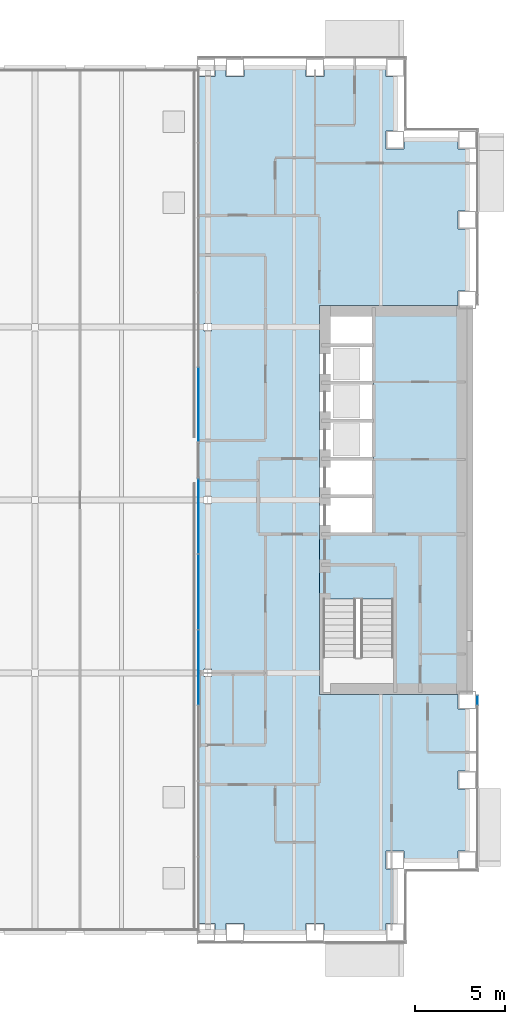
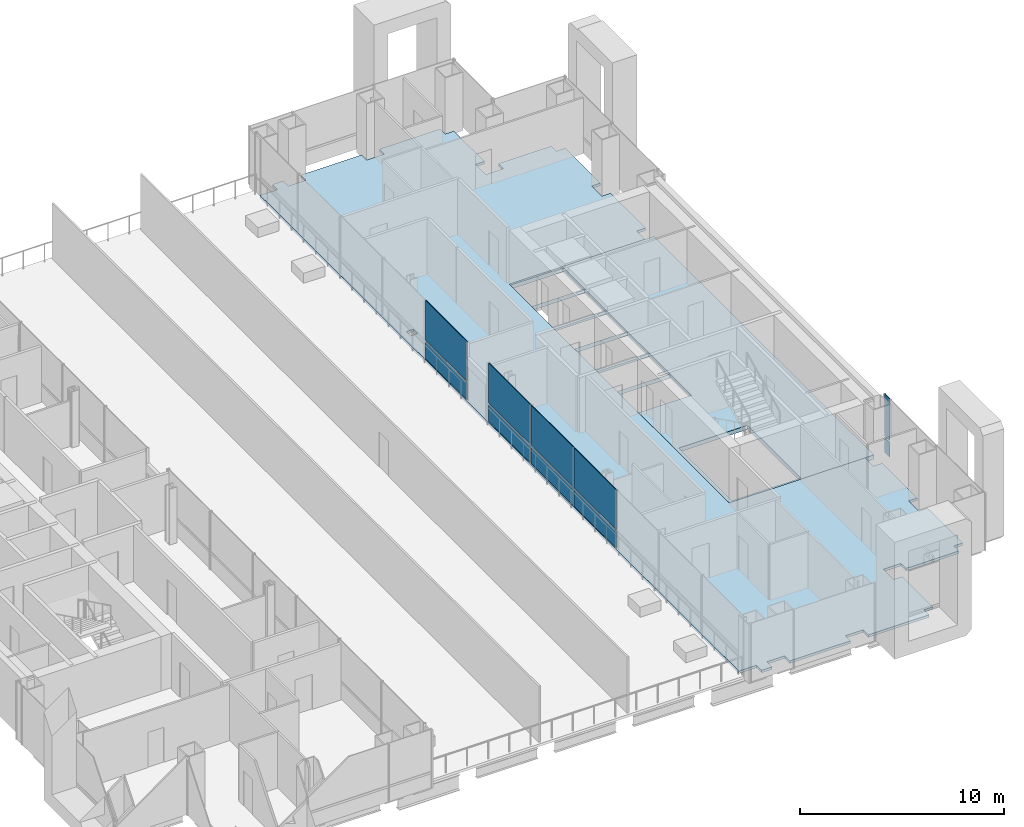
# One storey, part 14 of 24: 10 plates, 2 slabs, 3 elements without a shape of their own.
"""IFC4 building model written with IfcOpenShell, lengths in metres."""

from ifc_helpers import new_model, si_unit, direction, frame, origin, origin_2d, place, context, subcontext, project, spatial, polyline, rectangle, outline, extrude, material, layer, layer_set, type_object, element, aggregate, save


model = new_model("IFC4")

# Units and contexts
model_context = context("Model", 3, precision=1e-05, world=origin(), true_north=direction((0.0, 1.0)))
body_context = subcontext(model_context, "Body", "Model", "MODEL_VIEW")
ifc_project = project(units=[si_unit("LENGTHUNIT", "METRE"), si_unit("AREAUNIT", "SQUARE_METRE"), si_unit("VOLUMEUNIT", "CUBIC_METRE"), si_unit("PLANEANGLEUNIT", "RADIAN"), si_unit("MASSUNIT", "GRAM", prefix="KILO")], contexts=[model_context])

# Site, building, storey
site_placement = place(None, origin())
site = spatial("IfcSite", under=ifc_project, at=site_placement, CompositionType="ELEMENT")
building_placement = place(site_placement, origin())
building = spatial("IfcBuilding", under=site, at=building_placement, Name="Cobrizo Arcos Hotel Tower", CompositionType="ELEMENT")
storey_placement = place(building_placement, frame((0.0, 0.0, 60.0)))
storey = spatial("IfcBuildingStorey", under=building, at=storey_placement, Name="L13", CompositionType="ELEMENT", Elevation=60.0)

# Curtain wall, plates
ifc_material_1 = material(Name="Aluminium 6063-T6 anodised bronze", Category="aluminium")
curtain_wall_type_1 = type_object("IfcCurtainWallType", Name="CW-A guest facade", PredefinedType="NOTDEFINED", material=ifc_material_1)
curtain_wall_1_placement = place(storey_placement, origin())
curtain_wall_1 = element("IfcCurtainWall", 1, at=curtain_wall_1_placement, inside=storey, type_object=curtain_wall_type_1, Name="CW-A L13 E face", PredefinedType="NOTDEFINED")
ifc_material_2 = material(Name="Glass clear laminated low-e", Category="glass")
ifc_layer_1 = layer(ifc_material_2, 0.0400390625)
ifc_layer_set_1 = layer_set([ifc_layer_1], Name="CW-A glass panel")
plate_type_1 = type_object("IfcPlateType", Name="CW-A glass panel", PredefinedType="CURTAIN_PANEL", material=ifc_layer_set_1)
plate_1_placement = place(storey_placement, frame((24.574951171875, -11.109375, 0.990234375), z_axis=(0.0, 0.0, 1.0), x_axis=(0.0, 1.0, 0.0)))
plate_1 = element("IfcPlate", 2, at=plate_1_placement, type_object=plate_type_1, Name="CW-A glass panel 599", PredefinedType="CURTAIN_PANEL", context=body_context, shape_type="SweptSolid", body=[
    extrude(rectangle(XDim=0.498779296875, YDim=0.0400390625, at=origin_2d()), origin(), (0.0, 0.0, 1.0), 2.510009765625),
])
ifc_material_3 = material(Name="Aluminium composite panel pale metal", Category="aluminium")
ifc_layer_2 = layer(ifc_material_3, 0.0400390625)
ifc_layer_set_2 = layer_set([ifc_layer_2], Name="CW-A spandrel panel")
plate_type_2 = type_object("IfcPlateType", Name="CW-A spandrel panel", PredefinedType="CURTAIN_PANEL", material=ifc_layer_set_2)
plate_2_placement = place(storey_placement, frame((24.574951171875, -11.109375, 0.0), z_axis=(0.0, 0.0, 1.0), x_axis=(0.0, 1.0, 0.0)))
plate_2 = element("IfcPlate", 3, at=plate_2_placement, type_object=plate_type_2, Name="CW-A spandrel panel 599", PredefinedType="CURTAIN_PANEL", context=body_context, shape_type="SweptSolid", body=[
    extrude(rectangle(XDim=0.498779296875, YDim=0.0400390625, at=origin_2d()), origin(), (0.0, 0.0, 1.0), 0.8701171875),
])
aggregate(curtain_wall_1, [plate_2, plate_1])

curtain_wall_type_2 = type_object("IfcCurtainWallType", Name="CW-F void screen", PredefinedType="NOTDEFINED", material=ifc_material_1)
curtain_wall_2_placement = place(storey_placement, origin())
curtain_wall_2 = element("IfcCurtainWall", 4, at=curtain_wall_2_placement, inside=storey, type_object=curtain_wall_type_2, Name="CW-F L13 void screen A", PredefinedType="NOTDEFINED")
ifc_layer_3 = layer(ifc_material_2, 0.0400390625)
ifc_layer_set_3 = layer_set([ifc_layer_3], Name="CW-F glass panel")
plate_type_3 = type_object("IfcPlateType", Name="CW-F glass panel", PredefinedType="CURTAIN_PANEL", material=ifc_layer_set_3)
plate_3_placement = place(storey_placement, frame((9.074951171875, -9.300048828125, 0.0), z_axis=(0.0, 0.0, 1.0), x_axis=(0.0, 1.0, 0.0)))
plate_3 = element("IfcPlate", 5, at=plate_3_placement, type_object=plate_type_3, Name="CW-F glass panel 2429", PredefinedType="CURTAIN_PANEL", context=body_context, shape_type="SweptSolid", body=[
    extrude(rectangle(XDim=4.139892578125, YDim=0.0400390625, at=origin_2d()), origin(), (0.0, 0.0, 1.0), 0.989990234375),
])
plate_4_placement = place(storey_placement, frame((9.074951171875, -9.300048828125, 1.10986328125), z_axis=(0.0, 0.0, 1.0), x_axis=(0.0, 1.0, 0.0)))
plate_4 = element("IfcPlate", 6, at=plate_4_placement, type_object=plate_type_3, Name="CW-F glass panel 2429", PredefinedType="CURTAIN_PANEL", context=body_context, shape_type="SweptSolid", body=[
    extrude(rectangle(XDim=4.139892578125, YDim=0.0400390625, at=origin_2d()), origin(), (0.0, 0.0, 1.0), 2.389892578125),
])
plate_5_placement = place(storey_placement, frame((9.074951171875, -5.10009765625, 0.0), z_axis=(0.0, 0.0, 1.0), x_axis=(0.0, 1.0, 0.0)))
plate_5 = element("IfcPlate", 7, at=plate_5_placement, type_object=plate_type_3, Name="CW-F glass panel 2430", PredefinedType="CURTAIN_PANEL", context=body_context, shape_type="SweptSolid", body=[
    extrude(rectangle(XDim=4.139892578125, YDim=0.0400390625, at=origin_2d()), origin(), (0.0, 0.0, 1.0), 0.989990234375),
])
plate_6_placement = place(storey_placement, frame((9.074951171875, -5.10009765625, 1.10986328125), z_axis=(0.0, 0.0, 1.0), x_axis=(0.0, 1.0, 0.0)))
plate_6 = element("IfcPlate", 8, at=plate_6_placement, type_object=plate_type_3, Name="CW-F glass panel 2430", PredefinedType="CURTAIN_PANEL", context=body_context, shape_type="SweptSolid", body=[
    extrude(rectangle(XDim=4.139892578125, YDim=0.0400390625, at=origin_2d()), origin(), (0.0, 0.0, 1.0), 2.389892578125),
])
plate_7_placement = place(storey_placement, frame((9.074951171875, -0.9150390625, 0.0), z_axis=(0.0, 0.0, 1.0), x_axis=(0.0, 1.0, 0.0)))
plate_7 = element("IfcPlate", 9, at=plate_7_placement, type_object=plate_type_3, Name="CW-F glass panel 2431", PredefinedType="CURTAIN_PANEL", context=body_context, shape_type="SweptSolid", body=[
    extrude(rectangle(XDim=4.110107421875, YDim=0.0400390625, at=origin_2d()), origin(), (0.0, 0.0, 1.0), 0.989990234375),
])
plate_8_placement = place(storey_placement, frame((9.074951171875, -0.9150390625, 1.10986328125), z_axis=(0.0, 0.0, 1.0), x_axis=(0.0, 1.0, 0.0)))
plate_8 = element("IfcPlate", 10, at=plate_8_placement, type_object=plate_type_3, Name="CW-F glass panel 2431", PredefinedType="CURTAIN_PANEL", context=body_context, shape_type="SweptSolid", body=[
    extrude(rectangle(XDim=4.110107421875, YDim=0.0400390625, at=origin_2d()), origin(), (0.0, 0.0, 1.0), 2.389892578125),
])
aggregate(curtain_wall_2, [plate_3, plate_4, plate_5, plate_6, plate_7, plate_8])

curtain_wall_3_placement = place(storey_placement, origin())
curtain_wall_3 = element("IfcCurtainWall", 11, at=curtain_wall_3_placement, inside=storey, type_object=curtain_wall_type_2, Name="CW-F L13 void screen A", PredefinedType="NOTDEFINED")
plate_9_placement = place(storey_placement, frame((9.074951171875, 5.294921875, 0.0), z_axis=(0.0, 0.0, 1.0), x_axis=(0.0, 1.0, 0.0)))
plate_9 = element("IfcPlate", 12, at=plate_9_placement, type_object=plate_type_3, Name="CW-F glass panel 2432", PredefinedType="CURTAIN_PANEL", context=body_context, shape_type="SweptSolid", body=[
    extrude(rectangle(XDim=4.070068359375, YDim=0.0400390625, at=origin_2d()), origin(), (0.0, 0.0, 1.0), 0.989990234375),
])
plate_10_placement = place(storey_placement, frame((9.074951171875, 5.294921875, 1.10986328125), z_axis=(0.0, 0.0, 1.0), x_axis=(0.0, 1.0, 0.0)))
plate_10 = element("IfcPlate", 13, at=plate_10_placement, type_object=plate_type_3, Name="CW-F glass panel 2432", PredefinedType="CURTAIN_PANEL", context=body_context, shape_type="SweptSolid", body=[
    extrude(rectangle(XDim=4.070068359375, YDim=0.0400390625, at=origin_2d()), origin(), (0.0, 0.0, 1.0), 2.389892578125),
])
aggregate(curtain_wall_3, [plate_9, plate_10])

# Slabs
ifc_material_4 = material(Name="Concrete f'c 35 MPa", Category="concrete")
ifc_layer_4 = layer(ifc_material_4, 0.14990234375)
ifc_layer_set_4 = layer_set([ifc_layer_4], Name="Composite floor slab 150 f'c 35")
slab_type_1 = type_object("IfcSlabType", Name="Composite floor slab 150 f'c 35", PredefinedType="FLOOR", material=ifc_layer_set_4)
slab_1_placement = place(storey_placement, frame((0.0, 0.0, -0.14990234375)))
element("IfcSlab", 14, at=slab_1_placement, inside=storey, type_object=slab_type_1, Name="Floor slab S5, L13, no. 02", PredefinedType="FLOOR", context=body_context, shape_type="SweptSolid", body=[
    extrude(outline(polyline([(10.0, 23.5), (10.0, 24.0), (10.611083984375, 24.0), (10.611083984375, 23.5), (11.611083984375, 23.5), (11.611083984375, 24.0), (15.055908203125, 24.0), (15.055908203125, 23.5), (16.055908203125, 23.5), (16.055908203125, 24.0), (19.5, 24.0), (19.5, 23.5), (20.0, 23.5), (20.0, 20.5), (19.5, 20.5), (19.5, 19.5), (20.5, 19.5), (20.5, 20.0), (23.5, 20.0), (23.5, 19.5), (24.0, 19.5), (24.0, 16.055908203125), (23.5, 16.055908203125), (23.5, 15.055908203125), (24.0, 15.055908203125), (24.0, 11.611083984375), (23.5, 11.611083984375), (23.5, 10.800048828125), (15.800048828125, 10.800048828125), (15.800048828125, -10.800048828125), (23.5, -10.800048828125), (23.5, -11.611083984375), (24.0, -11.611083984375), (24.0, -15.055908203125), (23.5, -15.055908203125), (23.5, -16.055908203125), (24.0, -16.055908203125), (24.0, -19.5), (23.5, -19.5), (23.5, -20.0), (20.5, -20.0), (20.5, -19.5), (19.5, -19.5), (19.5, -20.5), (20.0, -20.5), (20.0, -23.5), (19.5, -23.5), (19.5, -24.0), (16.055908203125, -24.0), (16.055908203125, -23.5), (15.055908203125, -23.5), (15.055908203125, -24.0), (11.611083984375, -24.0), (11.611083984375, -23.5), (10.611083984375, -23.5), (10.611083984375, -24.0), (10.0, -24.0), (10.0, -23.5), (9.0, -23.5), (9.0, 23.5), (10.0, 23.5)]), holes=[polyline([(9.804443359375, -9.804443359375), (9.804443359375, -9.3955078125), (9.3955078125, -9.3955078125), (9.3955078125, -9.804443359375), (9.804443359375, -9.804443359375)]), polyline([(9.804443359375, -0.204345703125), (9.804443359375, 0.204345703125), (9.3955078125, 0.204345703125), (9.3955078125, -0.204345703125), (9.804443359375, -0.204345703125)]), polyline([(9.804443359375, 9.804443359375), (9.3955078125, 9.804443359375), (9.3955078125, 9.3955078125), (9.804443359375, 9.3955078125), (9.804443359375, 9.804443359375)])]), origin(), (0.0, 0.0, 1.0), 0.14990234375),
])
ifc_material_5 = material(Name="Concrete f'c 60 MPa", Category="concrete")
ifc_layer_5 = layer(ifc_material_5, 0.25)
ifc_layer_set_5 = layer_set([ifc_layer_5], Name="RC core floor slab 250 f'c 60")
slab_type_2 = type_object("IfcSlabType", Name="RC core floor slab 250 f'c 60", PredefinedType="FLOOR", material=ifc_layer_set_5)
slab_2_placement = place(storey_placement, frame((0.0, 0.0, -0.25)))
element("IfcSlab", 15, at=slab_2_placement, inside=storey, type_object=slab_type_2, Name="Core floor slab CS3, east core, L13", PredefinedType="FLOOR", context=body_context, shape_type="SweptSolid", body=[
    extrude(outline(polyline([(15.800048828125, 10.800048828125), (24.0, 10.800048828125), (24.0, -10.800048828125), (15.800048828125, -10.800048828125), (15.800048828125, 10.800048828125)]), holes=[polyline([(19.89794921875, -10.697998046875), (19.89794921875, -5.501953125), (16.001953125, -5.501953125), (16.001953125, -10.697998046875), (19.89794921875, -10.697998046875)]), polyline([(15.802001953125, 0.197998046875), (15.802001953125, -1.89794921875), (18.798095703125, -1.89794921875), (18.798095703125, 0.197998046875), (15.802001953125, 0.197998046875)]), polyline([(18.798095703125, 2.298095703125), (15.802001953125, 2.298095703125), (15.802001953125, 0.201904296875), (18.798095703125, 0.201904296875), (18.798095703125, 2.298095703125)]), polyline([(18.798095703125, 4.39794921875), (15.802001953125, 4.39794921875), (15.802001953125, 2.302001953125), (18.798095703125, 2.302001953125), (18.798095703125, 4.39794921875)]), polyline([(15.802001953125, 6.498046875), (15.802001953125, 4.402099609375), (18.798095703125, 4.402099609375), (18.798095703125, 6.498046875), (15.802001953125, 6.498046875)]), polyline([(18.798095703125, 8.597900390625), (15.802001953125, 8.597900390625), (15.802001953125, 6.501953125), (18.798095703125, 6.501953125), (18.798095703125, 8.597900390625)]), polyline([(18.798095703125, 10.697998046875), (15.802001953125, 10.697998046875), (15.802001953125, 8.60205078125), (18.798095703125, 8.60205078125), (18.798095703125, 10.697998046875)])]), origin(), (0.0, 0.0, 1.0), 0.25),
])

save(model, "model.ifc")
